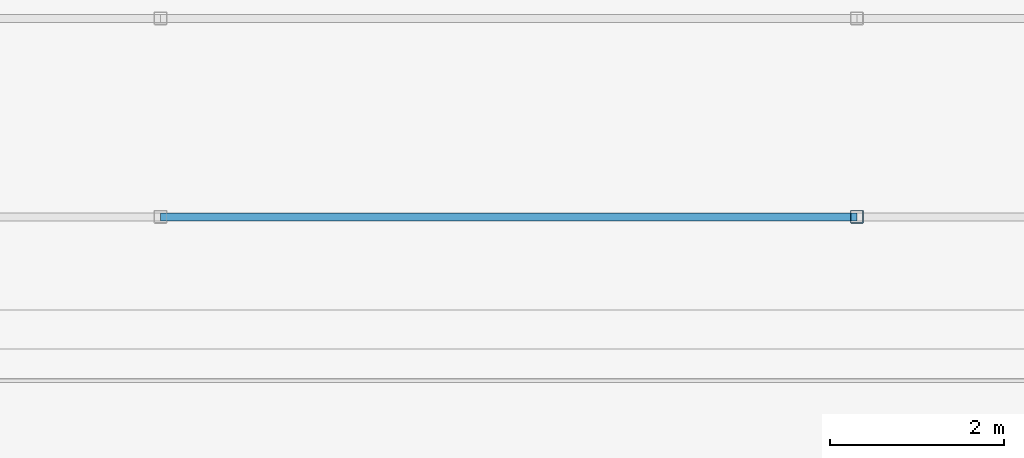
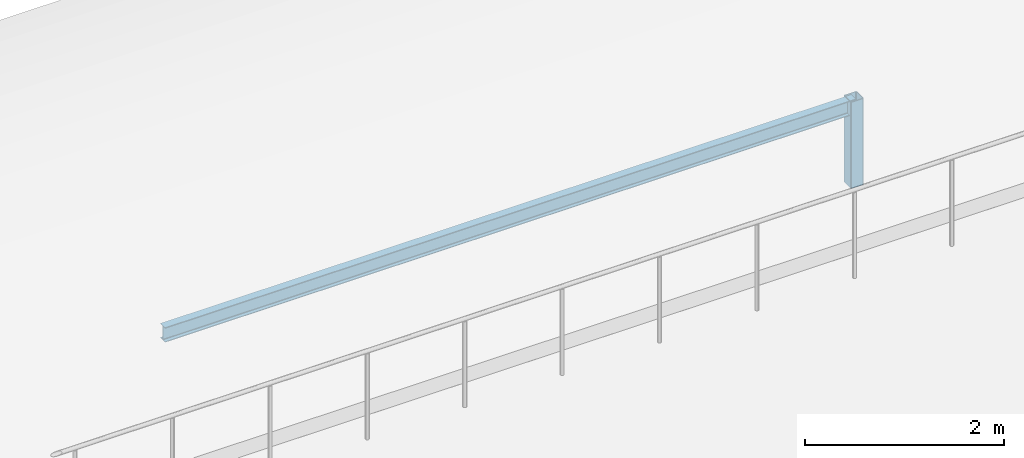
# One storey, part 9 of 46: 2 members.
"""IFC4 building model written with IfcOpenShell, lengths in metres."""

from ifc_helpers import new_model, si_unit, direction, frame, origin, origin_2d, place, context, subcontext, project, spatial, hollow_rectangle, i_section, extrude, material, material_profile, profile_set, type_object, element, save


model = new_model("IFC4")

# Units and contexts
model_context = context("Model", 3, precision=1e-05, world=origin(), true_north=direction((0.0, 1.0)))
body_context = subcontext(model_context, "Body", "Model", "MODEL_VIEW")
ifc_project = project(units=[si_unit("LENGTHUNIT", "METRE"), si_unit("AREAUNIT", "SQUARE_METRE"), si_unit("VOLUMEUNIT", "CUBIC_METRE"), si_unit("PLANEANGLEUNIT", "RADIAN"), si_unit("MASSUNIT", "GRAM", prefix="KILO")], contexts=[model_context])

# Site, building, storey
site_placement = place(None, origin())
site = spatial("IfcSite", under=ifc_project, at=site_placement, CompositionType="ELEMENT")
building_placement = place(site_placement, origin())
building = spatial("IfcBuilding", under=site, at=building_placement, Name="Shalkamar Park Central Library", CompositionType="ELEMENT")
storey_placement = place(building_placement, frame((0.0, 0.0, 20.39990234375)))
storey = spatial("IfcBuildingStorey", under=building, at=storey_placement, Name="L05", CompositionType="ELEMENT", Elevation=20.39990234375)

# Members
ifc_material = material(Name="Steel S355", Category="steel")
ifc_material_profile_1 = material_profile(ifc_material, hollow_rectangle(XDim=0.14990234375, YDim=0.14990234375, WallThickness=0.008056640625, InnerFilletRadius=0.008056640625, OuterFilletRadius=0.011962890625, at=origin_2d()), Name="SHS 150x150x8")
ifc_profile_set_1 = profile_set([ifc_material_profile_1], Name="Steel S355")
member_type_1 = type_object("IfcMemberType", Name="Diagonal Brace SHS150", PredefinedType="BRACE", material=ifc_profile_set_1)
member_1_placement = place(storey_placement, frame((189.0, 309.919921875, -0.35986328125), z_axis=(0.0, 0.0, 1.0), x_axis=(1.0, 0.0, 0.0)))
element("IfcMember", 1, at=member_1_placement, inside=storey, type_object=member_type_1, Name="Vault Arch Post BV-L04-NN-10.1", PredefinedType="BRACE", context=body_context, shape_type="SweptSolid", body=[
    extrude(hollow_rectangle(XDim=0.14990234375, YDim=0.14990234375, WallThickness=0.008056640625, InnerFilletRadius=0.008056640625, OuterFilletRadius=0.011962890625, at=origin_2d()), origin(), (0.0, 0.0, 1.0), 1.055908203125),
])
ifc_material_profile_2 = material_profile(ifc_material, i_section(OverallWidth=0.091064453125, OverallDepth=0.179931640625, WebThickness=0.00537109375, FlangeThickness=0.008056640625, FilletRadius=0.009033203125, at=origin_2d()), Name="IPE 180")
ifc_profile_set_2 = profile_set([ifc_material_profile_2], Name="Steel S355")
member_type_2 = type_object("IfcMemberType", Name="Roof Purlin IPE180", PredefinedType="PURLIN", material=ifc_profile_set_2)
member_2_placement = place(storey_placement, frame((181.0, 309.919921875, 0.606201171875), z_axis=(1.0, 0.0, 0.0), x_axis=(0.0, 1.0, 0.0)))
element("IfcMember", 2, at=member_2_placement, inside=storey, type_object=member_type_2, Name="Barrel Roof Purlin BV-L04-NN-1.09", PredefinedType="PURLIN", context=body_context, shape_type="SweptSolid", body=[
    extrude(i_section(OverallWidth=0.091064453125, OverallDepth=0.179931640625, WebThickness=0.00537109375, FlangeThickness=0.008056640625, FilletRadius=0.009033203125, at=origin_2d()), origin(), (0.0, 0.0, 1.0), 8.0),
])

save(model, "model.ifc")
